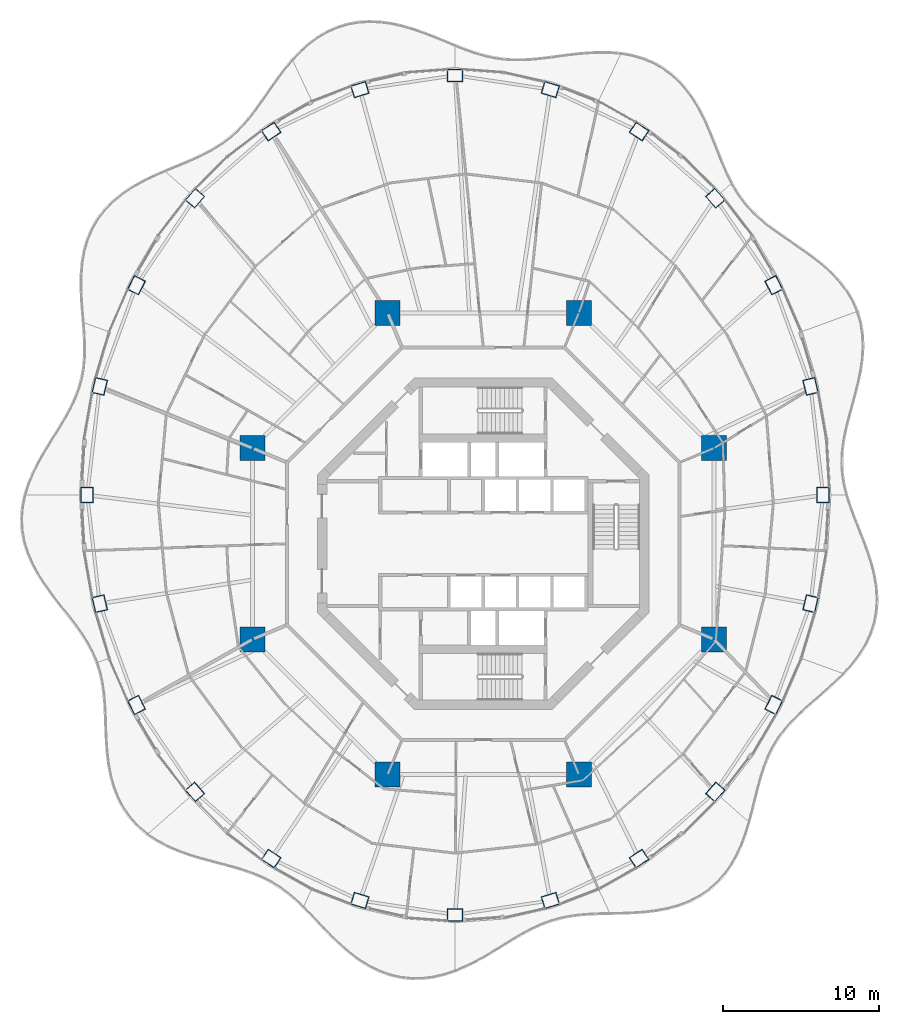
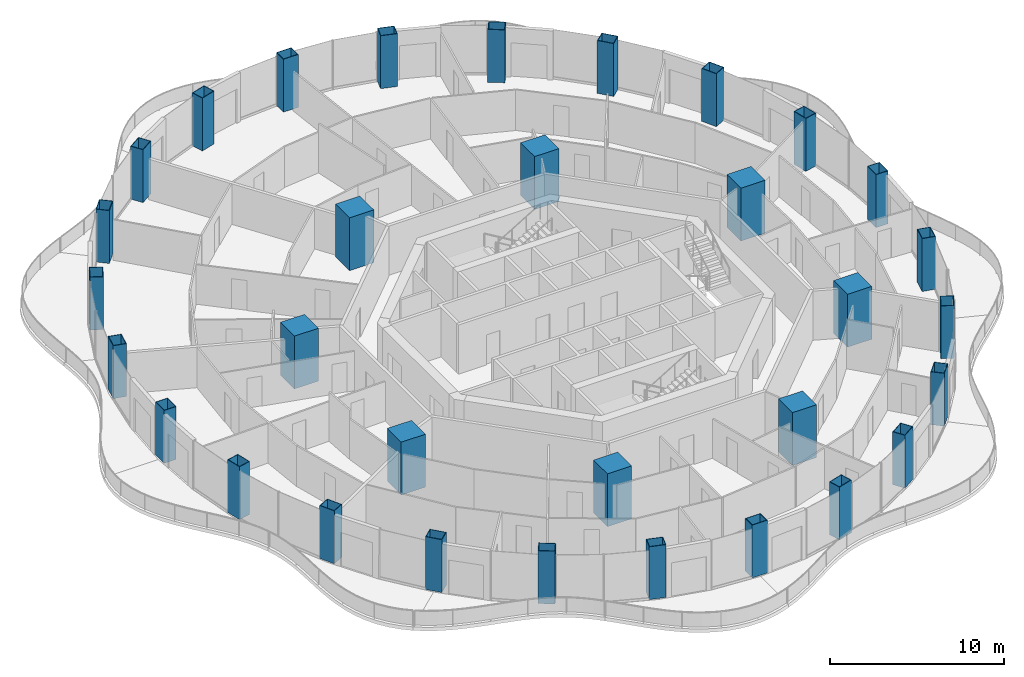
# One storey, part 1 of 18: 32 columns.
"""IFC4 building model written with IfcOpenShell, lengths in metres."""

from ifc_helpers import new_model, si_unit, direction, frame, origin, origin_2d, place, context, subcontext, project, spatial, rectangle, hollow_rectangle, extrude, material, material_profile, profile_set, type_object, element, save


model = new_model("IFC4")

# Units and contexts
model_context = context("Model", 3, precision=1e-05, world=origin(), true_north=direction((0.0, 1.0)))
body_context = subcontext(model_context, "Body", "Model", "MODEL_VIEW")
ifc_project = project(units=[si_unit("LENGTHUNIT", "METRE"), si_unit("AREAUNIT", "SQUARE_METRE"), si_unit("VOLUMEUNIT", "CUBIC_METRE"), si_unit("PLANEANGLEUNIT", "RADIAN"), si_unit("MASSUNIT", "GRAM", prefix="KILO")], contexts=[model_context])

# Site, building, storey
site_placement = place(None, origin())
site = spatial("IfcSite", under=ifc_project, at=site_placement, CompositionType="ELEMENT")
building_placement = place(site_placement, origin())
building = spatial("IfcBuilding", under=site, at=building_placement, Name="Nagisa Residences", CompositionType="ELEMENT")
storey_placement = place(building_placement, frame((0.0, 0.0, 227.0)))
storey = spatial("IfcBuildingStorey", under=building, at=storey_placement, Name="L57", CompositionType="ELEMENT", Elevation=227.0)

# Columns
ifc_material_1 = material(Name="Concrete C80", Category="concrete")
ifc_material_profile_1 = material_profile(ifc_material_1, rectangle(XDim=1.60009765625, YDim=1.60009765625, at=origin_2d()), Name="C80 1600x1600")
ifc_profile_set_1 = profile_set([ifc_material_profile_1], Name="Concrete C80")
column_type_1 = type_object("IfcColumnType", Name="Inner megacolumn C80 1600x1600", PredefinedType="COLUMN", material=ifc_profile_set_1)
for number, where, z_axis, x_axis, name in (
    (1, (14.781982421875, 6.123046875, 0.0), (0.0, 0.0, 1.0), (1.0, 0.0, 0.0), "col:L57:i1"),
    (2, (6.123046875, 14.781982421875, 0.0), (0.0, 0.0, 1.0), (1.0, 0.0, 0.0), "col:L57:i2"),
    (3, (-6.123046875, 14.781982421875, 0.0), (0.0, 0.0, 1.0), (1.0, 0.0, 0.0), "col:L57:i3"),
    (4, (-14.781982421875, 6.123046875, 0.0), (0.0, 0.0, 1.0), (1.0, 0.0, 0.0), "col:L57:i4"),
    (5, (-14.781982421875, -6.123046875, 0.0), (0.0, 0.0, 1.0), (1.0, 0.0, 0.0), "col:L57:i5"),
    (6, (-6.123046875, -14.781982421875, 0.0), (0.0, 0.0, 1.0), (1.0, 0.0, 0.0), "col:L57:i6"),
    (7, (6.123046875, -14.781982421875, 0.0), (0.0, 0.0, 1.0), (1.0, 0.0, 0.0), "col:L57:i7"),
    (8, (14.781982421875, -6.123046875, 0.0), (0.0, 0.0, 1.0), (1.0, 0.0, 0.0), "col:L57:i8"),
):
    element("IfcColumn", number, at=place(storey_placement, frame(where, z_axis=z_axis, x_axis=x_axis)), inside=storey, type_object=column_type_1, Name=name, PredefinedType="COLUMN", context=body_context, shape_type="SweptSolid", body=[
        extrude(rectangle(XDim=1.60009765625, YDim=1.60009765625, at=origin_2d()), origin(), (0.0, 0.0, 1.0), 3.699951171875),
    ])
ifc_material_2 = material(Name="Steel ASTM A572 Gr 50", Category="steel")
ifc_material_profile_2 = material_profile(ifc_material_2, hollow_rectangle(XDim=1.0, YDim=0.800048828125, WallThickness=0.031982421875, at=origin_2d()), Name="BX 1000x800x32")
ifc_profile_set_2 = profile_set([ifc_material_profile_2], Name="Steel ASTM A572 Gr 50")
column_type_2 = type_object("IfcColumnType", Name="Perimeter column BX 1000x800x32", PredefinedType="COLUMN", material=ifc_profile_set_2)
for number, where, z_axis, x_axis, name in (
    (9, (21.77001953125, 3.11767578125, 0.0), (0.0, 0.0, 1.0), (0.0, 1.0, 0.0), "col:L57:p00"),
    (10, (20.966796875, 10.077392578125, 0.0), (0.0, 0.0, 1.0), (-0.229202013103, 0.973378876486, 0.0), "col:L57:p01"),
    (11, (18.6123046875, 16.562744140625, 0.0), (0.0, 0.0, 1.0), (-0.452462697578, 0.891783329795, 0.0), "col:L57:p02"),
    (12, (14.866455078125, 22.1318359375, 0.0), (0.0, 0.0, 1.0), (-0.660114607735, 0.751164898445, 0.0), "col:L57:p03"),
    (13, (9.985107421875, 26.405029296875, 0.0), (0.0, 0.0, 1.0), (-0.835766105673, 0.54908561865, 0.0), "col:L57:p04"),
    (14, (4.30029296875, 29.091552734375, 0.0), (0.0, 0.0, 1.0), (-0.956524583408, 0.291651712384, 0.0), "col:L57:p05"),
    (15, (-1.800048828125, 30.0078125, 0.0), (0.0, 0.0, 1.0), (-1.0, 0.0, 0.0), "col:L57:p06"),
    (16, (-7.900390625, 29.091552734375, 0.0), (0.0, 0.0, 1.0), (-0.956524583408, -0.291651712384, 0.0), "col:L57:p07"),
    (17, (-13.5849609375, 26.405029296875, 0.0), (0.0, 0.0, 1.0), (-0.835766105673, -0.54908561865, 0.0), "col:L57:p08"),
    (18, (-18.466552734375, 22.1318359375, 0.0), (0.0, 0.0, 1.0), (-0.660114607735, -0.751164898445, 0.0), "col:L57:p09"),
    (19, (-22.212158203125, 16.562744140625, 0.0), (0.0, 0.0, 1.0), (-0.452462697578, -0.891783329795, 0.0), "col:L57:p10"),
    (20, (-24.56689453125, 10.077392578125, 0.0), (0.0, 0.0, 1.0), (-0.229202013103, -0.973378876486, 0.0), "col:L57:p11"),
    (21, (-25.3701171875, 3.11767578125, 0.0), (0.0, 0.0, 1.0), (0.0, -1.0, 0.0), "col:L57:p12"),
    (22, (-24.56689453125, -3.842041015625, 0.0), (0.0, 0.0, 1.0), (0.229202013103, -0.973378876486, 0.0), "col:L57:p13"),
    (23, (-22.212158203125, -10.327392578125, 0.0), (0.0, 0.0, 1.0), (0.452462697578, -0.891783329795, 0.0), "col:L57:p14"),
    (24, (-18.466552734375, -15.896484375, 0.0), (0.0, 0.0, 1.0), (0.660114607735, -0.751164898445, 0.0), "col:L57:p15"),
    (25, (-13.5849609375, -20.169677734375, 0.0), (0.0, 0.0, 1.0), (0.835766105673, -0.54908561865, 0.0), "col:L57:p16"),
    (26, (-7.900390625, -22.85595703125, 0.0), (0.0, 0.0, 1.0), (0.956524583408, -0.291651712384, 0.0), "col:L57:p17"),
    (27, (-1.800048828125, -23.772216796875, 0.0), (0.0, 0.0, 1.0), (1.0, 0.0, 0.0), "col:L57:p18"),
    (28, (4.30029296875, -22.85595703125, 0.0), (0.0, 0.0, 1.0), (0.956524583408, 0.291651712384, 0.0), "col:L57:p19"),
    (29, (9.985107421875, -20.169677734375, 0.0), (0.0, 0.0, 1.0), (0.835766105673, 0.54908561865, 0.0), "col:L57:p20"),
    (30, (14.866455078125, -15.896484375, 0.0), (0.0, 0.0, 1.0), (0.660114607735, 0.751164898445, 0.0), "col:L57:p21"),
    (31, (18.6123046875, -10.327392578125, 0.0), (0.0, 0.0, 1.0), (0.452462697578, 0.891783329795, 0.0), "col:L57:p22"),
    (32, (20.966796875, -3.842041015625, 0.0), (0.0, 0.0, 1.0), (0.229202013103, 0.973378876486, 0.0), "col:L57:p23"),
):
    element("IfcColumn", number, at=place(storey_placement, frame(where, z_axis=z_axis, x_axis=x_axis)), inside=storey, type_object=column_type_2, Name=name, PredefinedType="COLUMN", context=body_context, shape_type="SweptSolid", body=[
        extrude(hollow_rectangle(XDim=1.0, YDim=0.800048828125, WallThickness=0.031982421875, at=origin_2d()), origin(), (0.0, 0.0, 1.0), 3.699951171875),
    ])

save(model, "model.ifc")
